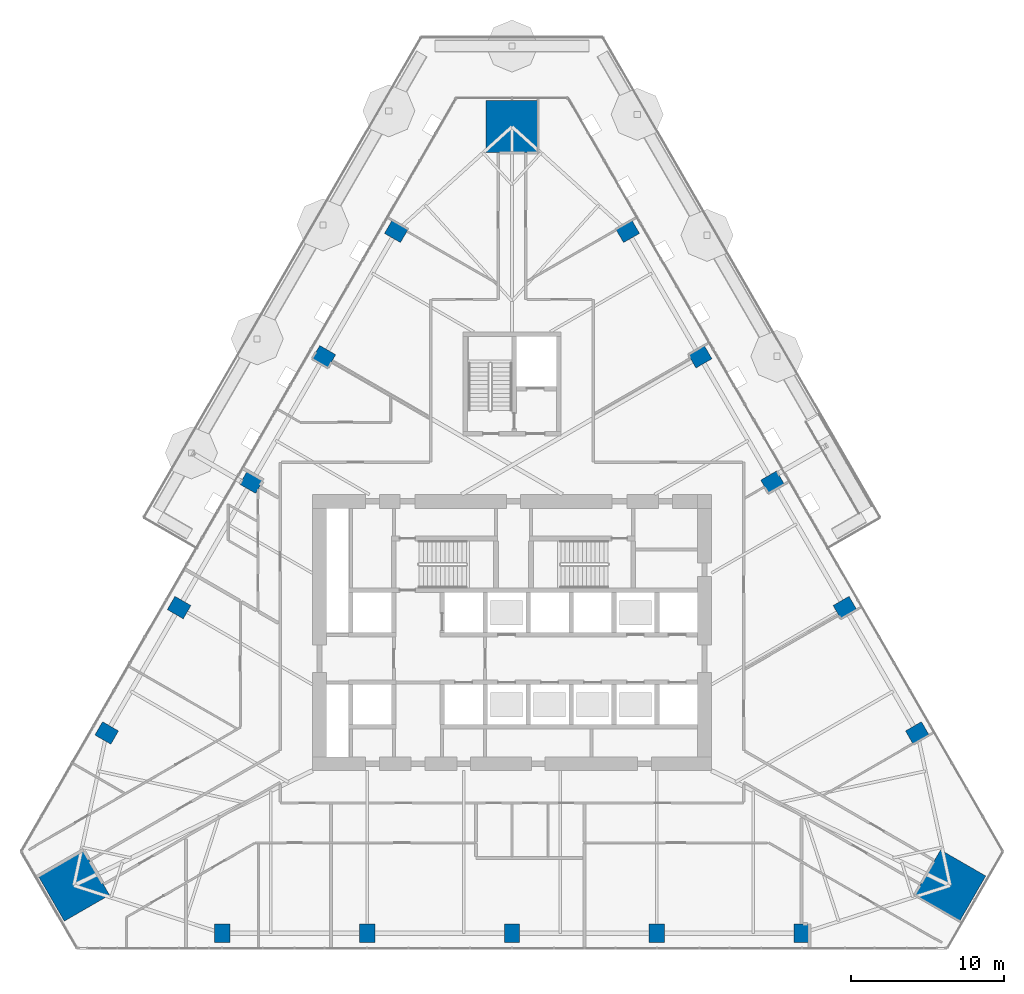
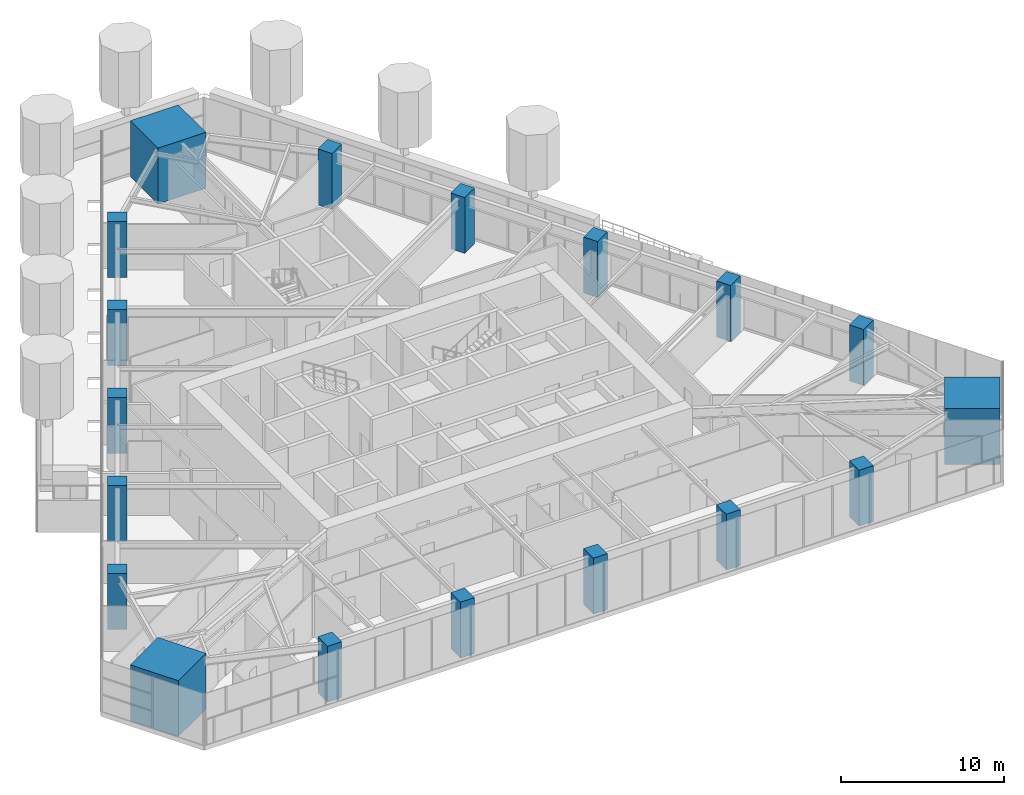
# One storey, part 1 of 25: 18 columns.
"""IFC4 building model written with IfcOpenShell, lengths in metres."""

from ifc_helpers import new_model, si_unit, direction, frame, origin, origin_2d, place, context, subcontext, project, spatial, rectangle, extrude, material, material_profile, profile_set, type_object, element, save


model = new_model("IFC4")

# Units and contexts
model_context = context("Model", 3, precision=1e-05, world=origin(), true_north=direction((0.0, 1.0)))
body_context = subcontext(model_context, "Body", "Model", "MODEL_VIEW")
ifc_project = project(units=[si_unit("LENGTHUNIT", "METRE"), si_unit("AREAUNIT", "SQUARE_METRE"), si_unit("VOLUMEUNIT", "CUBIC_METRE"), si_unit("PLANEANGLEUNIT", "RADIAN"), si_unit("MASSUNIT", "GRAM", prefix="KILO")], contexts=[model_context])

# Site, building, storey
site_placement = place(None, origin())
site = spatial("IfcSite", under=ifc_project, at=site_placement, CompositionType="ELEMENT")
building_placement = place(site_placement, origin())
building = spatial("IfcBuilding", under=site, at=building_placement, Name="Firuza Gate Tower and Library", CompositionType="ELEMENT")
storey_placement = place(building_placement, frame((0.0, 0.0, 86.199951171875)))
storey = spatial("IfcBuildingStorey", under=building, at=storey_placement, Name="L19", CompositionType="ELEMENT", Elevation=86.199951171875)

# Columns
ifc_material_1 = material(Name="Concrete C80/95", Category="concrete")
ifc_material_profile_1 = material_profile(ifc_material_1, rectangle(XDim=3.39990234375, YDim=3.39990234375, at=origin_2d()))
ifc_profile_set_1 = profile_set([ifc_material_profile_1], Name="Concrete C80/95")
column_type_1 = type_object("IfcColumnType", Name="Mega column 3400x3400 C80/95", PredefinedType="COLUMN", material=ifc_profile_set_1)
for number, where, z_axis, x_axis, name in (
    (1, (103.549560546875, 58.516845703125, 0.0), (0.0, 0.0, 1.0), (0.5, 0.866025403784, 0.0), "Mega column SE L19"),
    (2, (75.0, 107.96630859375, 0.0), (0.0, 0.0, 1.0), (-1.0, 0.0, 0.0), "Mega column N L19"),
    (3, (46.450439453125, 58.516845703125, 0.0), (0.0, 0.0, 1.0), (0.5, -0.866025403784, 0.0), "Mega column SW L19"),
):
    element("IfcColumn", number, at=place(storey_placement, frame(where, z_axis=z_axis, x_axis=x_axis)), inside=storey, type_object=column_type_1, Name=name, PredefinedType="COLUMN", context=body_context, shape_type="SweptSolid", body=[
        extrude(rectangle(XDim=3.39990234375, YDim=3.39990234375, at=origin_2d()), origin(), (0.0, 0.0, 1.0), 4.199951171875),
    ])
ifc_material_2 = material(Name="Concrete C60/75", Category="concrete")
ifc_material_profile_2 = material_profile(ifc_material_2, rectangle(XDim=1.0, YDim=1.199951171875, at=origin_2d()))
ifc_profile_set_2 = profile_set([ifc_material_profile_2], Name="Concrete C60/75")
column_type_2 = type_object("IfcColumnType", Name="Perimeter column 1000x1200 C60/75", PredefinedType="COLUMN", material=ifc_profile_set_2)
for number, where, z_axis, x_axis, name in (
    (4, (56.127685546875, 55.399169921875, -0.000244140625), (0.0, 0.0, 1.0), (1.0, 0.0, 0.0), "Column S1 L19"),
    (5, (65.56396484375, 55.399169921875, -0.000244140625), (0.0, 0.0, 1.0), (1.0, 0.0, 0.0), "Column S2 L19"),
    (6, (75.0, 55.399169921875, -0.000244140625), (0.0, 0.0, 1.0), (1.0, 0.0, 0.0), "Column S3 L19"),
    (7, (84.43603515625, 55.399169921875, -0.000244140625), (0.0, 0.0, 1.0), (1.0, 0.0, 0.0), "Column S4 L19"),
    (8, (93.872314453125, 55.399169921875, -0.000244140625), (0.0, 0.0, 1.0), (1.0, 0.0, 0.0), "Column S5 L19"),
    (9, (101.410888671875, 68.45654296875, -0.000244140625), (0.0, 0.0, 1.0), (-0.5, 0.866025403784, 0.0), "Column E1 L19"),
    (10, (96.69287109375, 76.62841796875, -0.000244140625), (0.0, 0.0, 1.0), (-0.5, 0.866025403784, 0.0), "Column E2 L19"),
    (11, (91.974853515625, 84.80029296875, -0.000244140625), (0.0, 0.0, 1.0), (-0.5, 0.866025403784, 0.0), "Column E3 L19"),
    (12, (87.2568359375, 92.972412109375, -0.000244140625), (0.0, 0.0, 1.0), (-0.5, 0.866025403784, 0.0), "Column E4 L19"),
    (13, (82.53857421875, 101.144287109375, -0.000244140625), (0.0, 0.0, 1.0), (-0.5, 0.866025403784, 0.0), "Column E5 L19"),
    (14, (67.46142578125, 101.144287109375, -0.000244140625), (0.0, 0.0, 1.0), (-0.5, -0.866025403784, 0.0), "Column W1 L19"),
    (15, (62.7431640625, 92.972412109375, -0.000244140625), (0.0, 0.0, 1.0), (-0.5, -0.866025403784, 0.0), "Column W2 L19"),
    (16, (58.025146484375, 84.80029296875, -0.000244140625), (0.0, 0.0, 1.0), (-0.5, -0.866025403784, 0.0), "Column W3 L19"),
    (17, (53.30712890625, 76.62841796875, -0.000244140625), (0.0, 0.0, 1.0), (-0.5, -0.866025403784, 0.0), "Column W4 L19"),
    (18, (48.589111328125, 68.45654296875, -0.000244140625), (0.0, 0.0, 1.0), (-0.5, -0.866025403784, 0.0), "Column W5 L19"),
):
    element("IfcColumn", number, at=place(storey_placement, frame(where, z_axis=z_axis, x_axis=x_axis)), inside=storey, type_object=column_type_2, Name=name, PredefinedType="COLUMN", context=body_context, shape_type="SweptSolid", body=[
        extrude(rectangle(XDim=1.0, YDim=1.199951171875, at=origin_2d()), origin(), (0.0, 0.0, 1.0), 4.2001953125),
    ])

save(model, "model.ifc")
